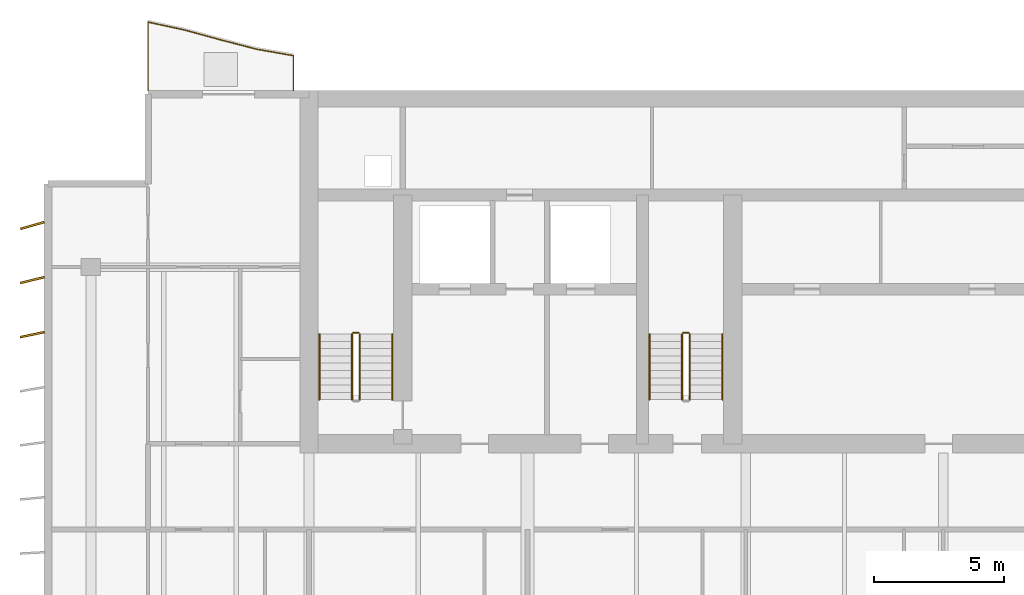
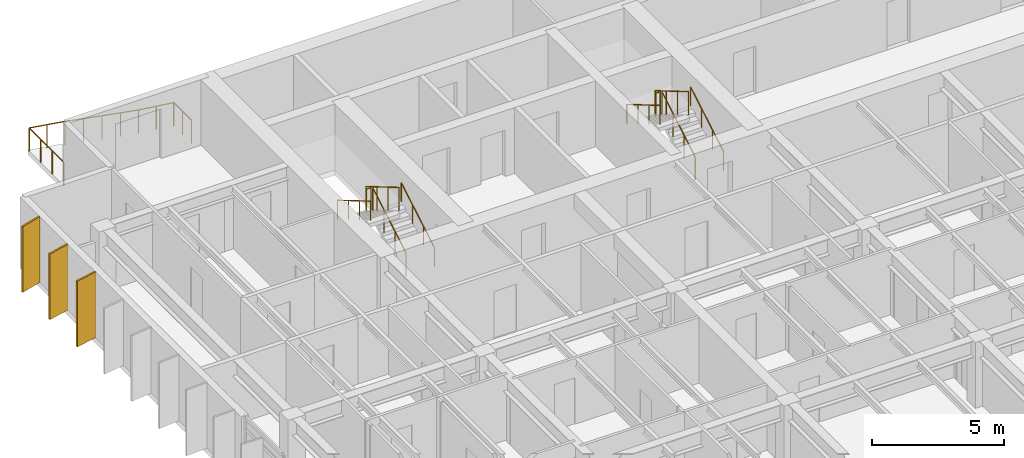
# One storey, part 16 of 17: 11 railings, 3 shading devices.
"""IFC4 building model written with IfcOpenShell, lengths in metres."""

from ifc_helpers import new_model, si_unit, direction, frame, origin, origin_2d, place, context, subcontext, project, spatial, rectangle, circle, extrude, material, material_profile, profile_set, type_object, element, save


model = new_model("IFC4")

# Units and contexts
model_context = context("Model", 3, precision=1e-05, world=origin(), true_north=direction((0.0, 1.0)))
body_context = subcontext(model_context, "Body", "Model", "MODEL_VIEW")
ifc_project = project(units=[si_unit("LENGTHUNIT", "METRE"), si_unit("AREAUNIT", "SQUARE_METRE"), si_unit("VOLUMEUNIT", "CUBIC_METRE"), si_unit("PLANEANGLEUNIT", "RADIAN"), si_unit("MASSUNIT", "GRAM", prefix="KILO")], contexts=[model_context])

# Site, building, storey
site_placement = place(None, origin())
site = spatial("IfcSite", under=ifc_project, at=site_placement, CompositionType="ELEMENT")
building_placement = place(site_placement, origin())
building = spatial("IfcBuilding", under=site, at=building_placement, Name="Caelmar Bay Residences", CompositionType="ELEMENT")
storey_placement = place(building_placement, frame((0.0, 0.0, 243.0)))
storey = spatial("IfcBuildingStorey", under=building, at=storey_placement, Name="L68", CompositionType="ELEMENT", Elevation=243.0)

# Railings
ifc_material_1 = material(Name="Anodised bronze handrail with laminated hurricane glass infill", Category="glass")
railing_type_1 = type_object("IfcRailingType", Name="RL-BAL-1100", PredefinedType="BALUSTRADE", material=ifc_material_1)
railing_1_placement = place(storey_placement, frame((17.699951171875, 50.60009765625, 0.0)))
element("IfcRailing", 1, at=railing_1_placement, inside=storey, type_object=railing_type_1, Name="L68 north_west Balcony Balustrade", PredefinedType="BALUSTRADE", context=body_context, shape_type="SweptSolid", body=[
    extrude(circle(Radius=0.02392578125, at=origin_2d()), frame((0.0, 0.0, 1.076171875), z_axis=(0.0, 1.0, 0.0), x_axis=(-1.0, 0.0, 0.0)), (0.0, 0.0, 1.0), 1.334716796875),
    extrude(circle(Radius=0.02392578125, at=origin_2d()), frame((0.0, 1.334716796875, 1.076171875), z_axis=(-0.985101853006, 0.171971913997, 0.0), x_axis=(-0.171971913997, -0.985101853006, 0.0)), (0.0, 0.0, 1.0), 1.421142578125),
    extrude(circle(Radius=0.02392578125, at=origin_2d()), frame((-1.39990234375, 1.5791015625, 1.076171875), z_axis=(-0.968113743572, 0.250511036698, 0.0), x_axis=(-0.250511036698, -0.968113743572, 0.0)), (0.0, 0.0, 1.0), 1.4462890625),
    extrude(circle(Radius=0.02392578125, at=origin_2d()), frame((-2.800048828125, 1.94140625, 1.076171875), z_axis=(-0.964456525256, 0.264241576766, 0.0), x_axis=(-0.264241576766, -0.964456525256, 0.0)), (0.0, 0.0, 1.0), 1.451416015625),
    extrude(circle(Radius=0.02392578125, at=origin_2d()), frame((-4.199951171875, 2.324951171875, 1.076171875), z_axis=(-0.97754721646, 0.210716491026, 0.0), x_axis=(-0.210716491026, -0.97754721646, 0.0)), (0.0, 0.0, 1.0), 1.43212890625),
    extrude(circle(Radius=0.02392578125, at=origin_2d()), frame((-5.599853515625, 2.626708984375, 1.076171875), z_axis=(0.0, -1.0, 0.0), x_axis=(1.0, 0.0, 0.0)), (0.0, 0.0, 1.0), 2.626708984375),
    extrude(circle(Radius=0.02099609375, at=origin_2d()), origin(), (0.0, 0.0, 1.0), 1.052001953125),
    extrude(circle(Radius=0.02099609375, at=origin_2d()), frame((0.0, 0.66748046875, 0.0)), (0.0, 0.0, 1.0), 1.052001953125),
    extrude(circle(Radius=0.02099609375, at=origin_2d()), frame((0.0, 1.334716796875, 0.0)), (0.0, 0.0, 1.0), 1.052001953125),
    extrude(circle(Radius=0.02099609375, at=origin_2d()), frame((-0.699951171875, 1.45703125, 0.0)), (0.0, 0.0, 1.0), 1.052001953125),
    extrude(circle(Radius=0.02099609375, at=origin_2d()), frame((-1.39990234375, 1.5791015625, 0.0)), (0.0, 0.0, 1.0), 1.052001953125),
    extrude(circle(Radius=0.02099609375, at=origin_2d()), frame((-2.10009765625, 1.76025390625, 0.0)), (0.0, 0.0, 1.0), 1.052001953125),
    extrude(circle(Radius=0.02099609375, at=origin_2d()), frame((-2.800048828125, 1.94140625, 0.0)), (0.0, 0.0, 1.0), 1.052001953125),
    extrude(circle(Radius=0.02099609375, at=origin_2d()), frame((-3.5, 2.13330078125, 0.0)), (0.0, 0.0, 1.0), 1.052001953125),
    extrude(circle(Radius=0.02099609375, at=origin_2d()), frame((-4.199951171875, 2.324951171875, 0.0)), (0.0, 0.0, 1.0), 1.052001953125),
    extrude(circle(Radius=0.02099609375, at=origin_2d()), frame((-4.89990234375, 2.475830078125, 0.0)), (0.0, 0.0, 1.0), 1.052001953125),
    extrude(circle(Radius=0.02099609375, at=origin_2d()), frame((-5.599853515625, 2.626708984375, 0.0)), (0.0, 0.0, 1.0), 1.052001953125),
    extrude(circle(Radius=0.02099609375, at=origin_2d()), frame((-5.599853515625, 1.751220703125, 0.0)), (0.0, 0.0, 1.0), 1.052001953125),
    extrude(circle(Radius=0.02099609375, at=origin_2d()), frame((-5.599853515625, 0.87548828125, 0.0)), (0.0, 0.0, 1.0), 1.052001953125),
    extrude(circle(Radius=0.02099609375, at=origin_2d()), frame((-5.599853515625, 0.0, 0.0)), (0.0, 0.0, 1.0), 1.052001953125),
])
ifc_material_2 = material(Name="Painted galvanized steel stair guard 1100 mm", Category="steel")
railing_type_2 = type_object("IfcRailingType", Name="RL-GRD-1100", PredefinedType="GUARDRAIL", material=ifc_material_2)
railing_2_placement = place(storey_placement, frame((20.25, 38.699951171875, 0.1650390625)))
element("IfcRailing", 2, at=railing_2_placement, inside=storey, type_object=railing_type_2, Name="L68 ST1 stair guard 1", PredefinedType="GUARDRAIL", context=body_context, shape_type="SweptSolid", body=[
    extrude(circle(Radius=0.02392578125, at=origin_2d()), frame((0.0, 0.0, 1.076171875), z_axis=(0.0, 0.861560626758, 0.507654692109), x_axis=(-1.0, 0.0, 0.0)), (0.0, 0.0, 1.0), 2.925048828125),
    extrude(circle(Radius=0.02099609375, at=origin_2d()), origin(), (0.0, 0.0, 1.0), 1.052001953125),
    extrude(circle(Radius=0.02099609375, at=origin_2d()), frame((0.0, 0.840087890625, 0.494873046875)), (0.0, 0.0, 1.0), 1.052001953125),
    extrude(circle(Radius=0.02099609375, at=origin_2d()), frame((0.0, 1.679931640625, 0.989990234375)), (0.0, 0.0, 1.0), 1.052001953125),
    extrude(circle(Radius=0.02099609375, at=origin_2d()), frame((0.0, 2.52001953125, 1.48486328125)), (0.0, 0.0, 1.0), 1.052001953125),
])
railing_3_placement = place(storey_placement, frame((20.199951171875, 41.27001953125, 1.64990234375)))
element("IfcRailing", 3, at=railing_3_placement, inside=storey, type_object=railing_type_2, Name="L68 ST1 stair guard 2", PredefinedType="GUARDRAIL", context=body_context, shape_type="SweptSolid", body=[
    extrude(circle(Radius=0.02392578125, at=origin_2d()), frame((0.0, 0.0, 1.076171875), z_axis=(-1.0, 0.0, 0.0), x_axis=(0.0, -1.0, 0.0)), (0.0, 0.0, 1.0), 0.199951171875),
    extrude(circle(Radius=0.02099609375, at=origin_2d()), origin(), (0.0, 0.0, 1.0), 1.052001953125),
    extrude(circle(Radius=0.02099609375, at=origin_2d()), frame((-0.199951171875, 0.0, 0.0)), (0.0, 0.0, 1.0), 1.052001953125),
])
railing_4_placement = place(storey_placement, frame((19.949951171875, 41.219970703125, 1.81494140625)))
element("IfcRailing", 4, at=railing_4_placement, inside=storey, type_object=railing_type_2, Name="L68 ST1 stair guard 3", PredefinedType="GUARDRAIL", context=body_context, shape_type="SweptSolid", body=[
    extrude(circle(Radius=0.02392578125, at=origin_2d()), frame((0.0, 0.0, 1.076171875), z_axis=(0.0, -0.86152411907, 0.507716645641), x_axis=(1.0, 0.0, 0.0)), (0.0, 0.0, 1.0), 2.925048828125),
    extrude(circle(Radius=0.02099609375, at=origin_2d()), origin(), (0.0, 0.0, 1.0), 1.052001953125),
    extrude(circle(Radius=0.02099609375, at=origin_2d()), frame((0.0, -0.840087890625, 0.4951171875)), (0.0, 0.0, 1.0), 1.052001953125),
    extrude(circle(Radius=0.02099609375, at=origin_2d()), frame((0.0, -1.679931640625, 0.989990234375)), (0.0, 0.0, 1.0), 1.052001953125),
    extrude(circle(Radius=0.02099609375, at=origin_2d()), frame((0.0, -2.52001953125, 1.485107421875)), (0.0, 0.0, 1.0), 1.052001953125),
])
railing_5_placement = place(storey_placement, frame((32.949951171875, 38.699951171875, 0.1650390625)))
element("IfcRailing", 5, at=railing_5_placement, inside=storey, type_object=railing_type_2, Name="L68 ST3 stair guard 1", PredefinedType="GUARDRAIL", context=body_context, shape_type="SweptSolid", body=[
    extrude(circle(Radius=0.02392578125, at=origin_2d()), frame((0.0, 0.0, 1.076171875), z_axis=(0.0, 0.861560626758, 0.507654692109), x_axis=(-1.0, 0.0, 0.0)), (0.0, 0.0, 1.0), 2.925048828125),
    extrude(circle(Radius=0.02099609375, at=origin_2d()), origin(), (0.0, 0.0, 1.0), 1.052001953125),
    extrude(circle(Radius=0.02099609375, at=origin_2d()), frame((0.0, 0.840087890625, 0.494873046875)), (0.0, 0.0, 1.0), 1.052001953125),
    extrude(circle(Radius=0.02099609375, at=origin_2d()), frame((0.0, 1.679931640625, 0.989990234375)), (0.0, 0.0, 1.0), 1.052001953125),
    extrude(circle(Radius=0.02099609375, at=origin_2d()), frame((0.0, 2.52001953125, 1.48486328125)), (0.0, 0.0, 1.0), 1.052001953125),
])
railing_6_placement = place(storey_placement, frame((32.89990234375, 41.27001953125, 1.64990234375)))
element("IfcRailing", 6, at=railing_6_placement, inside=storey, type_object=railing_type_2, Name="L68 ST3 stair guard 2", PredefinedType="GUARDRAIL", context=body_context, shape_type="SweptSolid", body=[
    extrude(circle(Radius=0.02392578125, at=origin_2d()), frame((0.0, 0.0, 1.076171875), z_axis=(-1.0, 0.0, 0.0), x_axis=(0.0, -1.0, 0.0)), (0.0, 0.0, 1.0), 0.199951171875),
    extrude(circle(Radius=0.02099609375, at=origin_2d()), origin(), (0.0, 0.0, 1.0), 1.052001953125),
    extrude(circle(Radius=0.02099609375, at=origin_2d()), frame((-0.199951171875, 0.0, 0.0)), (0.0, 0.0, 1.0), 1.052001953125),
])
railing_7_placement = place(storey_placement, frame((32.64990234375, 41.219970703125, 1.81494140625)))
element("IfcRailing", 7, at=railing_7_placement, inside=storey, type_object=railing_type_2, Name="L68 ST3 stair guard 3", PredefinedType="GUARDRAIL", context=body_context, shape_type="SweptSolid", body=[
    extrude(circle(Radius=0.02392578125, at=origin_2d()), frame((0.0, 0.0, 1.076171875), z_axis=(0.0, -0.86152411907, 0.507716645641), x_axis=(1.0, 0.0, 0.0)), (0.0, 0.0, 1.0), 2.925048828125),
    extrude(circle(Radius=0.02099609375, at=origin_2d()), origin(), (0.0, 0.0, 1.0), 1.052001953125),
    extrude(circle(Radius=0.02099609375, at=origin_2d()), frame((0.0, -0.840087890625, 0.4951171875)), (0.0, 0.0, 1.0), 1.052001953125),
    extrude(circle(Radius=0.02099609375, at=origin_2d()), frame((0.0, -1.679931640625, 0.989990234375)), (0.0, 0.0, 1.0), 1.052001953125),
    extrude(circle(Radius=0.02099609375, at=origin_2d()), frame((0.0, -2.52001953125, 1.485107421875)), (0.0, 0.0, 1.0), 1.052001953125),
])
ifc_material_3 = material(Name="Brushed bronze stainless-steel tubular handrail 900 mm", Category="steel")
railing_type_3 = type_object("IfcRailingType", Name="RL-HND-900", PredefinedType="HANDRAIL", material=ifc_material_3)
railing_8_placement = place(storey_placement, frame((21.5, 38.699951171875, 0.1650390625)))
element("IfcRailing", 8, at=railing_8_placement, inside=storey, type_object=railing_type_3, Name="L68 ST1 stair handrail 1", PredefinedType="HANDRAIL", context=body_context, shape_type="SweptSolid", body=[
    extrude(circle(Radius=0.02392578125, at=origin_2d()), frame((0.0, 0.0, 0.8759765625), z_axis=(0.0, 0.861560626758, 0.507654692109), x_axis=(-1.0, 0.0, 0.0)), (0.0, 0.0, 1.0), 2.925048828125),
    extrude(circle(Radius=0.02099609375, at=origin_2d()), origin(), (0.0, 0.0, 1.0), 0.851806640625),
    extrude(circle(Radius=0.02099609375, at=origin_2d()), frame((0.0, 0.840087890625, 0.494873046875)), (0.0, 0.0, 1.0), 0.851806640625),
    extrude(circle(Radius=0.02099609375, at=origin_2d()), frame((0.0, 1.679931640625, 0.989990234375)), (0.0, 0.0, 1.0), 0.851806640625),
    extrude(circle(Radius=0.02099609375, at=origin_2d()), frame((0.0, 2.52001953125, 1.48486328125)), (0.0, 0.0, 1.0), 0.851806640625),
])
railing_9_placement = place(storey_placement, frame((18.699951171875, 41.219970703125, 1.81494140625)))
element("IfcRailing", 9, at=railing_9_placement, inside=storey, type_object=railing_type_3, Name="L68 ST1 stair handrail 2", PredefinedType="HANDRAIL", context=body_context, shape_type="SweptSolid", body=[
    extrude(circle(Radius=0.02392578125, at=origin_2d()), frame((0.0, 0.0, 0.8759765625), z_axis=(0.0, -0.86152411907, 0.507716645641), x_axis=(1.0, 0.0, 0.0)), (0.0, 0.0, 1.0), 2.925048828125),
    extrude(circle(Radius=0.02099609375, at=origin_2d()), origin(), (0.0, 0.0, 1.0), 0.851806640625),
    extrude(circle(Radius=0.02099609375, at=origin_2d()), frame((0.0, -0.840087890625, 0.4951171875)), (0.0, 0.0, 1.0), 0.851806640625),
    extrude(circle(Radius=0.02099609375, at=origin_2d()), frame((0.0, -1.679931640625, 0.989990234375)), (0.0, 0.0, 1.0), 0.851806640625),
    extrude(circle(Radius=0.02099609375, at=origin_2d()), frame((0.0, -2.52001953125, 1.485107421875)), (0.0, 0.0, 1.0), 0.851806640625),
])
railing_10_placement = place(storey_placement, frame((34.199951171875, 38.699951171875, 0.1650390625)))
element("IfcRailing", 10, at=railing_10_placement, inside=storey, type_object=railing_type_3, Name="L68 ST3 stair handrail 1", PredefinedType="HANDRAIL", context=body_context, shape_type="SweptSolid", body=[
    extrude(circle(Radius=0.02392578125, at=origin_2d()), frame((0.0, 0.0, 0.8759765625), z_axis=(0.0, 0.861560626758, 0.507654692109), x_axis=(-1.0, 0.0, 0.0)), (0.0, 0.0, 1.0), 2.925048828125),
    extrude(circle(Radius=0.02099609375, at=origin_2d()), origin(), (0.0, 0.0, 1.0), 0.851806640625),
    extrude(circle(Radius=0.02099609375, at=origin_2d()), frame((0.0, 0.840087890625, 0.494873046875)), (0.0, 0.0, 1.0), 0.851806640625),
    extrude(circle(Radius=0.02099609375, at=origin_2d()), frame((0.0, 1.679931640625, 0.989990234375)), (0.0, 0.0, 1.0), 0.851806640625),
    extrude(circle(Radius=0.02099609375, at=origin_2d()), frame((0.0, 2.52001953125, 1.48486328125)), (0.0, 0.0, 1.0), 0.851806640625),
])
railing_11_placement = place(storey_placement, frame((31.39990234375, 41.219970703125, 1.81494140625)))
element("IfcRailing", 11, at=railing_11_placement, inside=storey, type_object=railing_type_3, Name="L68 ST3 stair handrail 2", PredefinedType="HANDRAIL", context=body_context, shape_type="SweptSolid", body=[
    extrude(circle(Radius=0.02392578125, at=origin_2d()), frame((0.0, 0.0, 0.8759765625), z_axis=(0.0, -0.86152411907, 0.507716645641), x_axis=(1.0, 0.0, 0.0)), (0.0, 0.0, 1.0), 2.925048828125),
    extrude(circle(Radius=0.02099609375, at=origin_2d()), origin(), (0.0, 0.0, 1.0), 0.851806640625),
    extrude(circle(Radius=0.02099609375, at=origin_2d()), frame((0.0, -0.840087890625, 0.4951171875)), (0.0, 0.0, 1.0), 0.851806640625),
    extrude(circle(Radius=0.02099609375, at=origin_2d()), frame((0.0, -1.679931640625, 0.989990234375)), (0.0, 0.0, 1.0), 0.851806640625),
    extrude(circle(Radius=0.02099609375, at=origin_2d()), frame((0.0, -2.52001953125, 1.485107421875)), (0.0, 0.0, 1.0), 0.851806640625),
])

# Shading devices
ifc_material_4 = material(Name="Anodised architectural bronze aluminium 6063-T6", Category="aluminium")
ifc_material_profile = material_profile(ifc_material_4, rectangle(XDim=0.074951171875, YDim=0.949951171875, at=origin_2d()), Name="BRONZE-FIN-75X950")
ifc_profile_set = profile_set([ifc_material_profile], Name="Anodised architectural bronze aluminium 6063-T6")
shading_device_type = type_object("IfcShadingDeviceType", Name="SHD-FIN-950", PredefinedType="USERDEFINED", material=ifc_profile_set)
for number, where, z_axis, x_axis, name in (
    (12, (7.64990234375, 41.199951171875, 0.0), (0.0, 0.0, 1.0), (-0.2032999874, 0.979116497217, 0.0), "L68 West Bronze Solar Fin 14"),
    (13, (7.64990234375, 43.300048828125, 0.0), (0.0, 0.0, 1.0), (-0.239719743609, 0.970842131618, 0.0), "L68 West Bronze Solar Fin 15"),
    (14, (7.64990234375, 45.39990234375, 0.0), (0.0, 0.0, 1.0), (-0.275637355817, 0.961261695938, 0.0), "L68 West Bronze Solar Fin 16"),
):
    element("IfcShadingDevice", number, at=place(storey_placement, frame(where, z_axis=z_axis, x_axis=x_axis)), inside=storey, type_object=shading_device_type, Name=name, ObjectType="FIN", PredefinedType="USERDEFINED", context=body_context, shape_type="SweptSolid", body=[
        extrude(rectangle(XDim=0.074951171875, YDim=0.949951171875, at=origin_2d()), origin(), (0.0, 0.0, 1.0), 3.050048828125),
    ])

save(model, "model.ifc")
